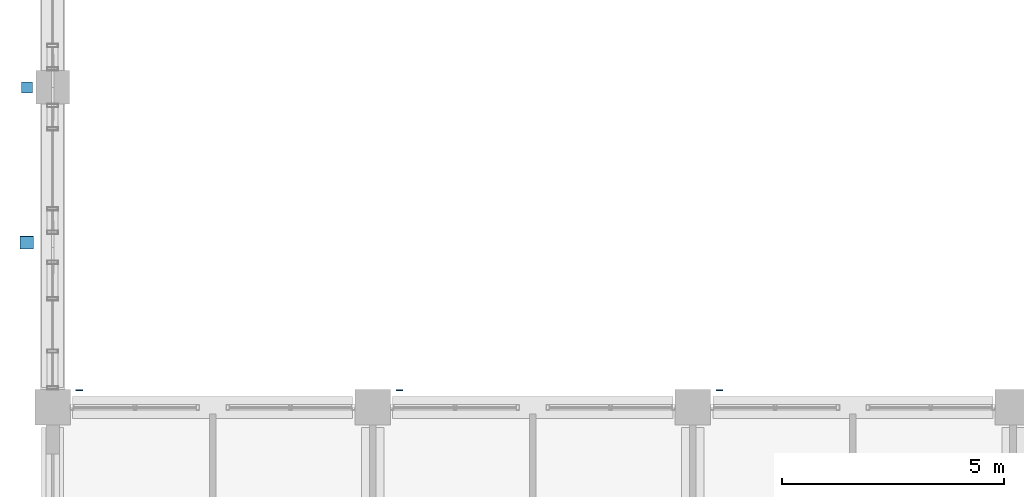
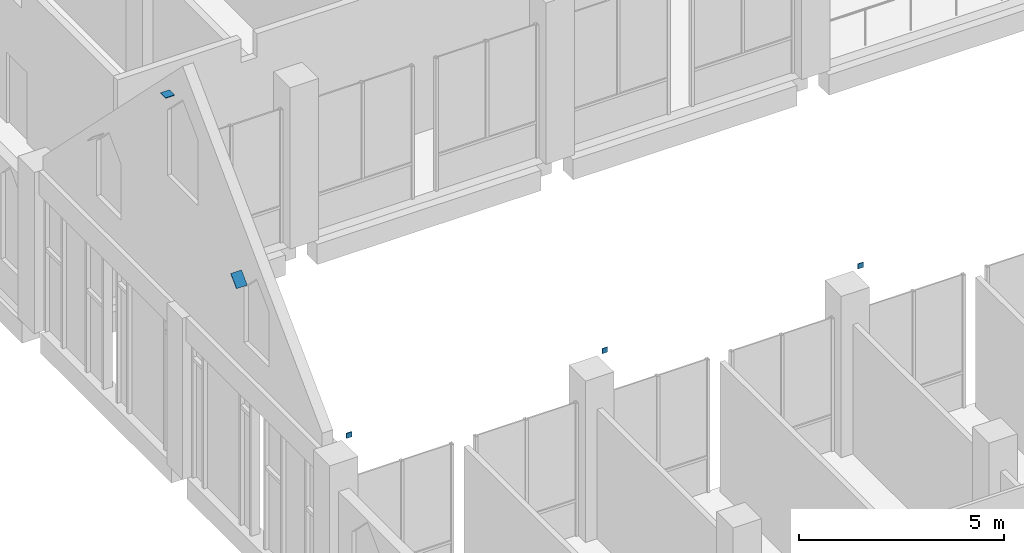
# One storey, part 25 of 31: 5 discrete accessories.
"""IFC4 building model written with IfcOpenShell, lengths in metres."""

from ifc_helpers import new_model, si_unit, direction, frame, origin, origin_2d, place, context, subcontext, project, spatial, polyline, rectangle, outline, extrude, material, element, save


model = new_model("IFC4")

# Units and contexts
model_context = context("Model", 3, precision=1e-05, world=origin(), true_north=direction((0.0, 1.0)))
body_context = subcontext(model_context, "Body", "Model", "MODEL_VIEW")
ifc_project = project(units=[si_unit("LENGTHUNIT", "METRE"), si_unit("AREAUNIT", "SQUARE_METRE"), si_unit("VOLUMEUNIT", "CUBIC_METRE"), si_unit("PLANEANGLEUNIT", "RADIAN"), si_unit("MASSUNIT", "GRAM", prefix="KILO")], contexts=[model_context])

# Site, building, storey
site_placement = place(None, origin())
site = spatial("IfcSite", under=ifc_project, at=site_placement, CompositionType="ELEMENT")
building_placement = place(site_placement, origin())
building = spatial("IfcBuilding", under=site, at=building_placement, Name="Silangan Lancet Faculty of Sciences", CompositionType="ELEMENT")
storey_placement = place(building_placement, frame((0.0, 0.0, 36.0)))
storey = spatial("IfcBuildingStorey", under=building, at=storey_placement, Name="L07", CompositionType="ELEMENT", Elevation=36.0)

# Discrete accessories
ifc_material_1 = material(Name="Steel STKR400", Category="steel")
for number, where, z_axis, x_axis, name in (
    (1, (0.60009765625, 21.989990234375, 4.820068359375), (0.0, 0.0, 1.0), (1.0, 0.0, 0.0), "Truss 1 bottom chord cap"),
    (2, (7.800048828125, 21.989990234375, 4.820068359375), (0.0, 0.0, 1.0), (1.0, 0.0, 0.0), "Truss 2 bottom chord cap"),
    (3, (15.0, 21.989990234375, 4.820068359375), (0.0, 0.0, 1.0), (1.0, 0.0, 0.0), "Truss 3 bottom chord cap"),
):
    element("IfcDiscreteAccessory", number, at=place(storey_placement, frame(where, z_axis=z_axis, x_axis=x_axis)), inside=storey, material=ifc_material_1, Name=name, ObjectType="END CAP", PredefinedType="USERDEFINED", context=body_context, shape_type="SweptSolid", body=[
        extrude(rectangle(XDim=0.14990234375, YDim=0.02001953125, at=origin_2d()), origin(), (0.0, 0.0, 1.0), 0.14990234375),
    ])
discrete_accessory_1_placement = place(storey_placement, frame((-0.574951171875, 28.800048828125, 11.309326171875), z_axis=(0.0, 0.0, 1.0), x_axis=(1.0, 0.0, 0.0)))
element("IfcDiscreteAccessory", 4, at=discrete_accessory_1_placement, inside=storey, material=ifc_material_1, Name="Gable truss king post cap", ObjectType="END CAP", PredefinedType="USERDEFINED", context=body_context, shape_type="SweptSolid", body=[
    extrude(rectangle(XDim=0.25, YDim=0.25, at=origin_2d()), origin(), (0.0, 0.0, 1.0), 0.02001953125),
])
ifc_material_2 = material(Name="Steel STK400", Category="steel")
discrete_accessory_2_placement = place(storey_placement, frame((-0.733642578125, 25.15869140625, 7.79296875), z_axis=(0.0, -0.707106781187, 0.707106781187), x_axis=(1.0, 0.0, 0.0)))
element("IfcDiscreteAccessory", 5, at=discrete_accessory_2_placement, inside=storey, material=ifc_material_2, Name="Gable truss strut head plate A", ObjectType="CONNECTION PLATE", PredefinedType="USERDEFINED", context=body_context, shape_type="SweptSolid", body=[
    extrude(outline(polyline([(0.0, 0.0), (0.300048828125, 0.0), (0.300048828125, 0.3998191663154404), (0.0, 0.3998191663154404), (0.0, 0.0)])), origin(), (0.0, 0.0, -1.0), 0.02001953125),
])

save(model, "model.ifc")
